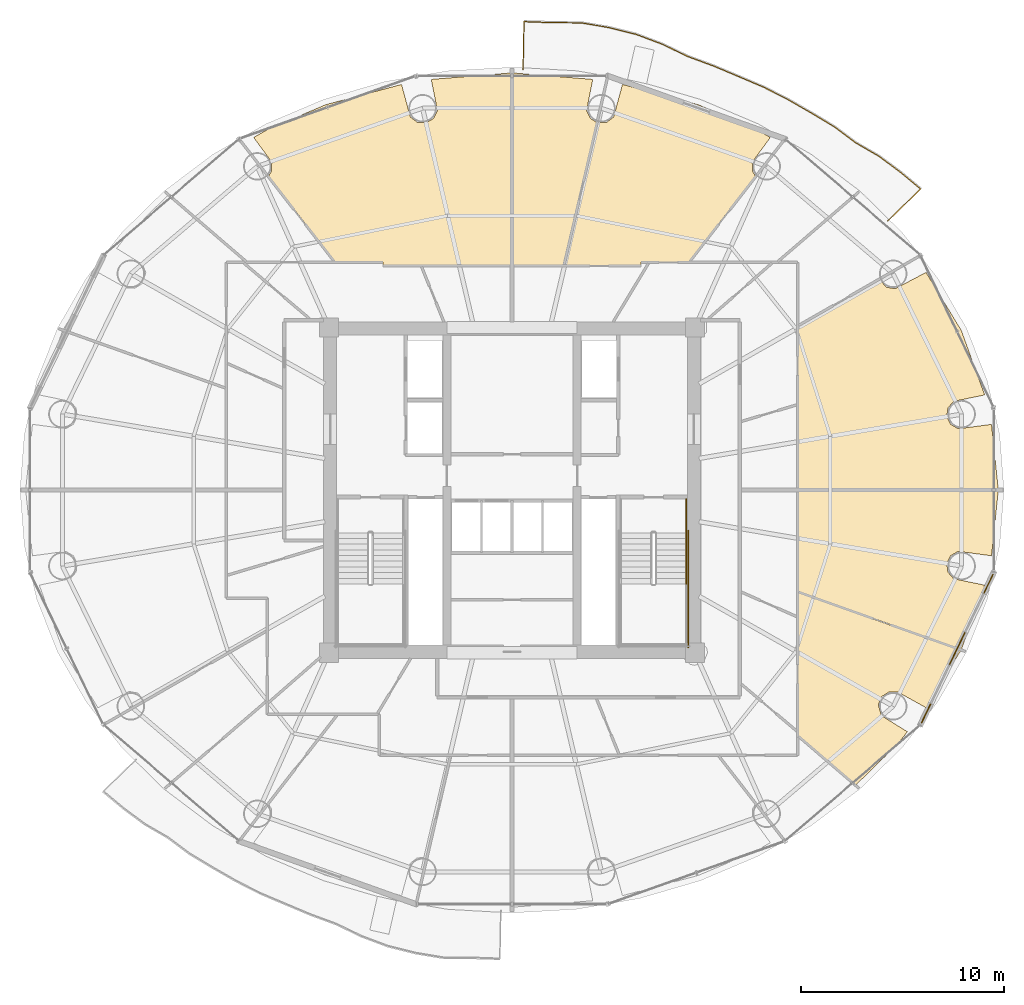
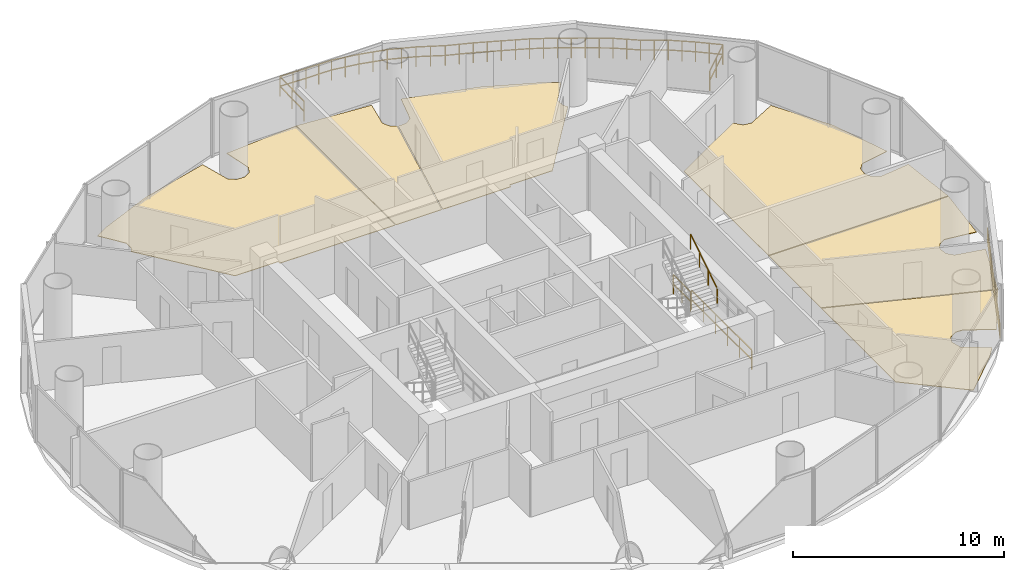
# One storey, part 27 of 27: 7 coverings, 4 railings.
"""IFC4 building model written with IfcOpenShell, lengths in metres."""

from ifc_helpers import new_model, si_unit, direction, frame, origin, origin_2d, place, context, subcontext, project, spatial, polyline, rectangle, outline, extrude, source, transform, mapped, material, layer, layer_set, type_object, element, save


model = new_model("IFC4")

# Units and contexts
model_context = context("Model", 3, precision=1e-05, world=origin(), true_north=direction((-0.2419218956, 0.970295726276)))
body_context = subcontext(model_context, "Body", "Model", "MODEL_VIEW")
ifc_project = project(units=[si_unit("LENGTHUNIT", "METRE"), si_unit("AREAUNIT", "SQUARE_METRE"), si_unit("VOLUMEUNIT", "CUBIC_METRE"), si_unit("PLANEANGLEUNIT", "RADIAN"), si_unit("MASSUNIT", "GRAM", prefix="KILO")], contexts=[model_context])

# Site, building, storey
site_placement = place(None, origin())
site = spatial("IfcSite", under=ifc_project, at=site_placement, CompositionType="ELEMENT")
building_placement = place(site_placement, origin())
building = spatial("IfcBuilding", under=site, at=building_placement, Name="Cobrevalo Terracotta Tower", CompositionType="ELEMENT")
storey_placement = place(building_placement, frame((0.0, 0.0, 160.60009765625)))
storey = spatial("IfcBuildingStorey", under=building, at=storey_placement, Name="L42", CompositionType="ELEMENT", Elevation=160.60009765625)

# Railing
ifc_material_1 = material(Name="Laminated structural glass and stainless steel", Category="steel")
railing_type_1 = type_object("IfcRailingType", Name="Balcony lobe structural glass & terracotta-cap balustrade 1180 mm", PredefinedType="BALUSTRADE", material=ifc_material_1)
railing_1_placement = place(storey_placement, frame((56.48291015625, 40.039794921875, 0.0)))
element("IfcRailing", 1, at=railing_1_placement, inside=storey, type_object=railing_type_1, Name="L42 spiralling balcony lobe balustrade 1", PredefinedType="BALUSTRADE", context=body_context, shape_type="SweptSolid", body=[
    extrude(rectangle(XDim=0.048095703125, YDim=0.048095703125, at=origin_2d()), frame((0.0, 0.0, 1.15576171875), z_axis=(0.718233453447, 0.695802203467, 0.0), x_axis=(-0.695802203467, 0.718233453447, 0.0)), (0.0, 0.0, 1.0), 2.2529296875),
    extrude(rectangle(XDim=0.048095703125, YDim=0.048095703125, at=origin_2d()), frame((0.0, 0.0, 0.58984375), z_axis=(0.718233453447, 0.695802203467, 0.0), x_axis=(-0.695802203467, 0.718233453447, 0.0)), (0.0, 0.0, 1.0), 2.2529296875),
    extrude(rectangle(XDim=0.048095703125, YDim=0.048095703125, at=origin_2d()), frame((1.6181640625, 1.567626953125, 1.15576171875), z_axis=(-0.76871044583, 0.639596943764, 0.0), x_axis=(-0.639596943764, -0.76871044583, 0.0)), (0.0, 0.0, 1.0), 1.30859375),
    extrude(rectangle(XDim=0.048095703125, YDim=0.048095703125, at=origin_2d()), frame((1.6181640625, 1.567626953125, 0.58984375), z_axis=(-0.76871044583, 0.639596943764, 0.0), x_axis=(-0.639596943764, -0.76871044583, 0.0)), (0.0, 0.0, 1.0), 1.30859375),
    extrude(rectangle(XDim=0.048095703125, YDim=0.048095703125, at=origin_2d()), frame((0.6123046875, 2.404541015625, 1.15576171875), z_axis=(-0.803374996268, 0.595473438006, 0.0), x_axis=(-0.595473438006, -0.803374996268, 0.0)), (0.0, 0.0, 1.0), 1.305908203125),
    extrude(rectangle(XDim=0.048095703125, YDim=0.048095703125, at=origin_2d()), frame((0.6123046875, 2.404541015625, 0.58984375), z_axis=(-0.803374996268, 0.595473438006, 0.0), x_axis=(-0.595473438006, -0.803374996268, 0.0)), (0.0, 0.0, 1.0), 1.305908203125),
    extrude(rectangle(XDim=0.048095703125, YDim=0.048095703125, at=origin_2d()), frame((-0.436767578125, 3.18212890625, 1.15576171875), z_axis=(-0.865632432832, 0.50068002879, 0.0), x_axis=(-0.50068002879, -0.865632432832, 0.0)), (0.0, 0.0, 1.0), 1.323974609375),
    extrude(rectangle(XDim=0.048095703125, YDim=0.048095703125, at=origin_2d()), frame((-0.436767578125, 3.18212890625, 0.58984375), z_axis=(-0.865632432832, 0.50068002879, 0.0), x_axis=(-0.50068002879, -0.865632432832, 0.0)), (0.0, 0.0, 1.0), 1.323974609375),
    extrude(rectangle(XDim=0.048095703125, YDim=0.048095703125, at=origin_2d()), frame((-1.582763671875, 3.844970703125, 1.15576171875), z_axis=(-0.8, 0.6, 0.0), x_axis=(-0.6, -0.8, 0.0)), (0.0, 0.0, 1.0), 1.304931640625),
    extrude(rectangle(XDim=0.048095703125, YDim=0.048095703125, at=origin_2d()), frame((-1.582763671875, 3.844970703125, 0.58984375), z_axis=(-0.8, 0.6, 0.0), x_axis=(-0.6, -0.8, 0.0)), (0.0, 0.0, 1.0), 1.304931640625),
    extrude(rectangle(XDim=0.048095703125, YDim=0.048095703125, at=origin_2d()), frame((-2.626708984375, 4.6279296875, 1.15576171875), z_axis=(-0.857150293111, 0.515066379237, 0.0), x_axis=(-0.515066379237, -0.857150293111, 0.0)), (0.0, 0.0, 1.0), 1.321044921875),
    extrude(rectangle(XDim=0.048095703125, YDim=0.048095703125, at=origin_2d()), frame((-2.626708984375, 4.6279296875, 0.58984375), z_axis=(-0.857150293111, 0.515066379237, 0.0), x_axis=(-0.515066379237, -0.857150293111, 0.0)), (0.0, 0.0, 1.0), 1.321044921875),
    extrude(rectangle(XDim=0.048095703125, YDim=0.048095703125, at=origin_2d()), frame((-3.759033203125, 5.308349609375, 1.15576171875), z_axis=(-0.86753891337, 0.497369313275, 0.0), x_axis=(-0.497369313275, -0.86753891337, 0.0)), (0.0, 0.0, 1.0), 1.324462890625),
    extrude(rectangle(XDim=0.048095703125, YDim=0.048095703125, at=origin_2d()), frame((-3.759033203125, 5.308349609375, 0.58984375), z_axis=(-0.86753891337, 0.497369313275, 0.0), x_axis=(-0.497369313275, -0.86753891337, 0.0)), (0.0, 0.0, 1.0), 1.324462890625),
    extrude(rectangle(XDim=0.048095703125, YDim=0.048095703125, at=origin_2d()), frame((-4.907958984375, 5.967041015625, 1.15576171875), z_axis=(-0.890459507548, 0.455062485178, 0.0), x_axis=(-0.455062485178, -0.890459507548, 0.0)), (0.0, 0.0, 1.0), 1.328369140625),
    extrude(rectangle(XDim=0.048095703125, YDim=0.048095703125, at=origin_2d()), frame((-4.907958984375, 5.967041015625, 0.58984375), z_axis=(-0.890459507548, 0.455062485178, 0.0), x_axis=(-0.455062485178, -0.890459507548, 0.0)), (0.0, 0.0, 1.0), 1.328369140625),
    extrude(rectangle(XDim=0.048095703125, YDim=0.048095703125, at=origin_2d()), frame((-6.0908203125, 6.571533203125, 1.15576171875), z_axis=(-0.920438971217, 0.390886300944, 0.0), x_axis=(-0.390886300944, -0.920438971217, 0.0)), (0.0, 0.0, 1.0), 1.341552734375),
    extrude(rectangle(XDim=0.048095703125, YDim=0.048095703125, at=origin_2d()), frame((-6.0908203125, 6.571533203125, 0.58984375), z_axis=(-0.920438971217, 0.390886300944, 0.0), x_axis=(-0.390886300944, -0.920438971217, 0.0)), (0.0, 0.0, 1.0), 1.341552734375),
    extrude(rectangle(XDim=0.048095703125, YDim=0.048095703125, at=origin_2d()), frame((-7.32568359375, 7.095947265625, 1.15576171875), z_axis=(-0.921604516365, 0.388130281497, 0.0), x_axis=(-0.388130281497, -0.921604516365, 0.0)), (0.0, 0.0, 1.0), 1.34033203125),
    extrude(rectangle(XDim=0.048095703125, YDim=0.048095703125, at=origin_2d()), frame((-7.32568359375, 7.095947265625, 0.58984375), z_axis=(-0.921604516365, 0.388130281497, 0.0), x_axis=(-0.388130281497, -0.921604516365, 0.0)), (0.0, 0.0, 1.0), 1.34033203125),
    extrude(rectangle(XDim=0.048095703125, YDim=0.048095703125, at=origin_2d()), frame((-8.56103515625, 7.6162109375, 1.15576171875), z_axis=(-0.938217022621, 0.346047422276, 0.0), x_axis=(-0.346047422276, -0.938217022621, 0.0)), (0.0, 0.0, 1.0), 1.35595703125),
    extrude(rectangle(XDim=0.048095703125, YDim=0.048095703125, at=origin_2d()), frame((-8.56103515625, 7.6162109375, 0.58984375), z_axis=(-0.938217022621, 0.346047422276, 0.0), x_axis=(-0.346047422276, -0.938217022621, 0.0)), (0.0, 0.0, 1.0), 1.35595703125),
    extrude(rectangle(XDim=0.048095703125, YDim=0.048095703125, at=origin_2d()), frame((-9.833251953125, 8.08544921875, 1.15576171875), z_axis=(-0.900958274247, 0.433905736384, 0.0), x_axis=(-0.433905736384, -0.900958274247, 0.0)), (0.0, 0.0, 1.0), 1.384765625),
    extrude(rectangle(XDim=0.048095703125, YDim=0.048095703125, at=origin_2d()), frame((-9.833251953125, 8.08544921875, 0.58984375), z_axis=(-0.900958274247, 0.433905736384, 0.0), x_axis=(-0.433905736384, -0.900958274247, 0.0)), (0.0, 0.0, 1.0), 1.384765625),
    extrude(rectangle(XDim=0.048095703125, YDim=0.048095703125, at=origin_2d()), frame((-11.080810546875, 8.686279296875, 1.15576171875), z_axis=(-0.935771500911, 0.352607002317, 0.0), x_axis=(-0.352607002317, -0.935771500911, 0.0)), (0.0, 0.0, 1.0), 1.38818359375),
    extrude(rectangle(XDim=0.048095703125, YDim=0.048095703125, at=origin_2d()), frame((-11.080810546875, 8.686279296875, 0.58984375), z_axis=(-0.935771500911, 0.352607002317, 0.0), x_axis=(-0.352607002317, -0.935771500911, 0.0)), (0.0, 0.0, 1.0), 1.38818359375),
    extrude(rectangle(XDim=0.048095703125, YDim=0.048095703125, at=origin_2d()), frame((-12.3798828125, 9.17578125, 1.15576171875), z_axis=(-0.970286719196, 0.241958018159, 0.0), x_axis=(-0.241958018159, -0.970286719196, 0.0)), (0.0, 0.0, 1.0), 1.392333984375),
    extrude(rectangle(XDim=0.048095703125, YDim=0.048095703125, at=origin_2d()), frame((-12.3798828125, 9.17578125, 0.58984375), z_axis=(-0.970286719196, 0.241958018159, 0.0), x_axis=(-0.241958018159, -0.970286719196, 0.0)), (0.0, 0.0, 1.0), 1.392333984375),
    extrude(rectangle(XDim=0.048095703125, YDim=0.048095703125, at=origin_2d()), frame((-13.73095703125, 9.5126953125, 1.15576171875), z_axis=(-0.986251316426, 0.165252355047, 0.0), x_axis=(-0.165252355047, -0.986251316426, 0.0)), (0.0, 0.0, 1.0), 1.3916015625),
    extrude(rectangle(XDim=0.048095703125, YDim=0.048095703125, at=origin_2d()), frame((-13.73095703125, 9.5126953125, 0.58984375), z_axis=(-0.986251316426, 0.165252355047, 0.0), x_axis=(-0.165252355047, -0.986251316426, 0.0)), (0.0, 0.0, 1.0), 1.3916015625),
    extrude(rectangle(XDim=0.048095703125, YDim=0.048095703125, at=origin_2d()), frame((-15.103515625, 9.74267578125, 1.15576171875), z_axis=(-0.999985370717, 0.005409099022, 0.0), x_axis=(-0.005409099022, -0.999985370717, 0.0)), (0.0, 0.0, 1.0), 1.399169921875),
    extrude(rectangle(XDim=0.048095703125, YDim=0.048095703125, at=origin_2d()), frame((-15.103515625, 9.74267578125, 0.58984375), z_axis=(-0.999985370717, 0.005409099022, 0.0), x_axis=(-0.005409099022, -0.999985370717, 0.0)), (0.0, 0.0, 1.0), 1.399169921875),
    extrude(rectangle(XDim=0.048095703125, YDim=0.048095703125, at=origin_2d()), frame((-16.502685546875, 9.750244140625, 1.15576171875), z_axis=(-0.999334859344, 0.036466956271, 0.0), x_axis=(-0.036466956271, -0.999334859344, 0.0)), (0.0, 0.0, 1.0), 1.392578125),
    extrude(rectangle(XDim=0.048095703125, YDim=0.048095703125, at=origin_2d()), frame((-16.502685546875, 9.750244140625, 0.58984375), z_axis=(-0.999334859344, 0.036466956271, 0.0), x_axis=(-0.036466956271, -0.999334859344, 0.0)), (0.0, 0.0, 1.0), 1.392578125),
    extrude(rectangle(XDim=0.048095703125, YDim=0.048095703125, at=origin_2d()), frame((-17.894287109375, 9.801025390625, 1.15576171875), z_axis=(-0.019431872477, -0.99981118334, 0.0), x_axis=(0.99981118334, -0.019431872477, 0.0)), (0.0, 0.0, 1.0), 2.362060546875),
    extrude(rectangle(XDim=0.048095703125, YDim=0.048095703125, at=origin_2d()), frame((-17.894287109375, 9.801025390625, 0.58984375), z_axis=(-0.019431872477, -0.99981118334, 0.0), x_axis=(0.99981118334, -0.019431872477, 0.0)), (0.0, 0.0, 1.0), 2.362060546875),
    extrude(rectangle(XDim=0.0419921875, YDim=0.0419921875, at=origin_2d()), origin(), (0.0, 0.0, 1.0), 1.1318359375),
    extrude(rectangle(XDim=0.0419921875, YDim=0.0419921875, at=origin_2d()), frame((0.80908203125, 0.78369140625, 0.0)), (0.0, 0.0, 1.0), 1.1318359375),
    extrude(rectangle(XDim=0.0419921875, YDim=0.0419921875, at=origin_2d()), frame((1.6181640625, 1.567626953125, 0.0)), (0.0, 0.0, 1.0), 1.1318359375),
    extrude(rectangle(XDim=0.0419921875, YDim=0.0419921875, at=origin_2d()), frame((1.115234375, 1.986083984375, 0.0)), (0.0, 0.0, 1.0), 1.1318359375),
    extrude(rectangle(XDim=0.0419921875, YDim=0.0419921875, at=origin_2d()), frame((0.6123046875, 2.404541015625, 0.0)), (0.0, 0.0, 1.0), 1.1318359375),
    extrude(rectangle(XDim=0.0419921875, YDim=0.0419921875, at=origin_2d()), frame((0.087890625, 2.79345703125, 0.0)), (0.0, 0.0, 1.0), 1.1318359375),
    extrude(rectangle(XDim=0.0419921875, YDim=0.0419921875, at=origin_2d()), frame((-0.436767578125, 3.18212890625, 0.0)), (0.0, 0.0, 1.0), 1.1318359375),
    extrude(rectangle(XDim=0.0419921875, YDim=0.0419921875, at=origin_2d()), frame((-1.009765625, 3.513671875, 0.0)), (0.0, 0.0, 1.0), 1.1318359375),
    extrude(rectangle(XDim=0.0419921875, YDim=0.0419921875, at=origin_2d()), frame((-1.582763671875, 3.844970703125, 0.0)), (0.0, 0.0, 1.0), 1.1318359375),
    extrude(rectangle(XDim=0.0419921875, YDim=0.0419921875, at=origin_2d()), frame((-2.104736328125, 4.236328125, 0.0)), (0.0, 0.0, 1.0), 1.1318359375),
    extrude(rectangle(XDim=0.0419921875, YDim=0.0419921875, at=origin_2d()), frame((-2.626708984375, 4.6279296875, 0.0)), (0.0, 0.0, 1.0), 1.1318359375),
    extrude(rectangle(XDim=0.0419921875, YDim=0.0419921875, at=origin_2d()), frame((-3.19287109375, 4.96826171875, 0.0)), (0.0, 0.0, 1.0), 1.1318359375),
    extrude(rectangle(XDim=0.0419921875, YDim=0.0419921875, at=origin_2d()), frame((-3.759033203125, 5.308349609375, 0.0)), (0.0, 0.0, 1.0), 1.1318359375),
    extrude(rectangle(XDim=0.0419921875, YDim=0.0419921875, at=origin_2d()), frame((-4.33349609375, 5.6376953125, 0.0)), (0.0, 0.0, 1.0), 1.1318359375),
    extrude(rectangle(XDim=0.0419921875, YDim=0.0419921875, at=origin_2d()), frame((-4.907958984375, 5.967041015625, 0.0)), (0.0, 0.0, 1.0), 1.1318359375),
    extrude(rectangle(XDim=0.0419921875, YDim=0.0419921875, at=origin_2d()), frame((-5.49951171875, 6.269287109375, 0.0)), (0.0, 0.0, 1.0), 1.1318359375),
    extrude(rectangle(XDim=0.0419921875, YDim=0.0419921875, at=origin_2d()), frame((-6.0908203125, 6.571533203125, 0.0)), (0.0, 0.0, 1.0), 1.1318359375),
    extrude(rectangle(XDim=0.0419921875, YDim=0.0419921875, at=origin_2d()), frame((-6.708251953125, 6.833740234375, 0.0)), (0.0, 0.0, 1.0), 1.1318359375),
    extrude(rectangle(XDim=0.0419921875, YDim=0.0419921875, at=origin_2d()), frame((-7.32568359375, 7.095947265625, 0.0)), (0.0, 0.0, 1.0), 1.1318359375),
    extrude(rectangle(XDim=0.0419921875, YDim=0.0419921875, at=origin_2d()), frame((-7.943359375, 7.35595703125, 0.0)), (0.0, 0.0, 1.0), 1.1318359375),
    extrude(rectangle(XDim=0.0419921875, YDim=0.0419921875, at=origin_2d()), frame((-8.56103515625, 7.6162109375, 0.0)), (0.0, 0.0, 1.0), 1.1318359375),
    extrude(rectangle(XDim=0.0419921875, YDim=0.0419921875, at=origin_2d()), frame((-9.197265625, 7.850830078125, 0.0)), (0.0, 0.0, 1.0), 1.1318359375),
    extrude(rectangle(XDim=0.0419921875, YDim=0.0419921875, at=origin_2d()), frame((-9.833251953125, 8.08544921875, 0.0)), (0.0, 0.0, 1.0), 1.1318359375),
    extrude(rectangle(XDim=0.0419921875, YDim=0.0419921875, at=origin_2d()), frame((-10.45703125, 8.3857421875, 0.0)), (0.0, 0.0, 1.0), 1.1318359375),
    extrude(rectangle(XDim=0.0419921875, YDim=0.0419921875, at=origin_2d()), frame((-11.080810546875, 8.686279296875, 0.0)), (0.0, 0.0, 1.0), 1.1318359375),
    extrude(rectangle(XDim=0.0419921875, YDim=0.0419921875, at=origin_2d()), frame((-11.73046875, 8.93115234375, 0.0)), (0.0, 0.0, 1.0), 1.1318359375),
    extrude(rectangle(XDim=0.0419921875, YDim=0.0419921875, at=origin_2d()), frame((-12.3798828125, 9.17578125, 0.0)), (0.0, 0.0, 1.0), 1.1318359375),
    extrude(rectangle(XDim=0.0419921875, YDim=0.0419921875, at=origin_2d()), frame((-13.055419921875, 9.34423828125, 0.0)), (0.0, 0.0, 1.0), 1.1318359375),
    extrude(rectangle(XDim=0.0419921875, YDim=0.0419921875, at=origin_2d()), frame((-13.73095703125, 9.5126953125, 0.0)), (0.0, 0.0, 1.0), 1.1318359375),
    extrude(rectangle(XDim=0.0419921875, YDim=0.0419921875, at=origin_2d()), frame((-14.417236328125, 9.627685546875, 0.0)), (0.0, 0.0, 1.0), 1.1318359375),
    extrude(rectangle(XDim=0.0419921875, YDim=0.0419921875, at=origin_2d()), frame((-15.103515625, 9.74267578125, 0.0)), (0.0, 0.0, 1.0), 1.1318359375),
    extrude(rectangle(XDim=0.0419921875, YDim=0.0419921875, at=origin_2d()), frame((-15.80322265625, 9.74658203125, 0.0)), (0.0, 0.0, 1.0), 1.1318359375),
    extrude(rectangle(XDim=0.0419921875, YDim=0.0419921875, at=origin_2d()), frame((-16.502685546875, 9.750244140625, 0.0)), (0.0, 0.0, 1.0), 1.1318359375),
    extrude(rectangle(XDim=0.0419921875, YDim=0.0419921875, at=origin_2d()), frame((-17.198486328125, 9.775634765625, 0.0)), (0.0, 0.0, 1.0), 1.1318359375),
    extrude(rectangle(XDim=0.0419921875, YDim=0.0419921875, at=origin_2d()), frame((-17.894287109375, 9.801025390625, 0.0)), (0.0, 0.0, 1.0), 1.1318359375),
    extrude(rectangle(XDim=0.0419921875, YDim=0.0419921875, at=origin_2d()), frame((-17.917236328125, 8.6201171875, 0.0)), (0.0, 0.0, 1.0), 1.1318359375),
    extrude(rectangle(XDim=0.0419921875, YDim=0.0419921875, at=origin_2d()), frame((-17.940185546875, 7.439453125, 0.0)), (0.0, 0.0, 1.0), 1.1318359375),
])

# Coverings
ifc_material_2 = material(Name="Engineered Brazilian hardwood flooring", Category="wood")
ifc_layer_1 = layer(ifc_material_2, 0.028076171875)
ifc_layer_set_1 = layer_set([ifc_layer_1], Name="Engineered Brazilian hardwood flooring")
covering_type_1 = type_object("IfcCoveringType", Name="Engineered Hardwood Suite Flooring 28", PredefinedType="FLOORING", material=ifc_layer_set_1)
covering_1_placement = place(storey_placement, origin())
element("IfcCovering", 2, at=covering_1_placement, inside=storey, type_object=covering_type_1, Name="Flat L42A Penthouse Living and Dining Room floor finish", PredefinedType="FLOORING", context=body_context, shape_type="SweptSolid", body=[
    extrude(outline(polyline([(60.099609375, 34.651611328125), (61.251708984375, 31.478271484375), (59.7236328125, 31.1630859375), (59.44140625, 30.8388671875), (59.386962890625, 30.41259765625), (59.578369140625, 30.028076171875), (59.951416015625, 29.814697265625), (61.58642578125, 30.03369140625), (61.91845703125, 26.820068359375), (52.06494140625, 26.820068359375), (52.06494140625, 34.8544921875), (56.070068359375, 37.154541015625), (56.417236328125, 36.77783203125), (56.8408203125, 36.70458984375), (58.367431640625, 37.50634765625), (60.099609375, 34.651611328125)])), origin(), (0.0, 0.0, 1.0), 0.02978515625),
])
covering_2_placement = place(storey_placement, origin())
element("IfcCovering", 3, at=covering_2_placement, inside=storey, type_object=covering_type_1, Name="Flat L42A Penthouse Family Lounge floor finish", PredefinedType="FLOORING", context=body_context, shape_type="SweptSolid", body=[
    extrude(outline(polyline([(49.961181640625, 44.5703125), (50.704833984375, 44.143798828125), (49.815673828125, 42.9228515625), (49.824462890625, 42.4931640625), (49.97509765625, 42.236572265625), (46.693115234375, 38.014892578125), (44.3349609375, 38.014892578125), (44.3349609375, 37.85498046875), (40.578857421875, 37.85498046875), (42.203369140625, 44.873779296875), (42.6591796875, 44.88916015625), (43.00048828125, 45.150390625), (43.432861328125, 46.75), (47.15478515625, 45.757568359375), (49.961181640625, 44.5703125)])), origin(), (0.0, 0.0, 1.0), 0.02978515625),
])
covering_3_placement = place(storey_placement, origin())
element("IfcCovering", 4, at=covering_3_placement, inside=storey, type_object=covering_type_1, Name="Flat L42A North Bedroom floor finish", PredefinedType="FLOORING", context=body_context, shape_type="SweptSolid", body=[
    extrude(outline(polyline([(38.02001953125, 47.31884765625), (41.97119140625, 46.99951171875), (41.6689453125, 45.462158203125), (41.858642578125, 45.07666015625), (42.16455078125, 44.8837890625), (40.537841796875, 37.85498046875), (38.02001953125, 37.85498046875), (38.02001953125, 47.31884765625)])), origin(), (0.0, 0.0, 1.0), 0.02978515625),
])
covering_4_placement = place(storey_placement, origin())
element("IfcCovering", 5, at=covering_4_placement, inside=storey, type_object=covering_type_1, Name="Flat L42B Penthouse Living and Dining Room floor finish", PredefinedType="FLOORING", context=body_context, shape_type="SweptSolid", body=[
    extrude(outline(polyline([(28.84521484375, 45.757568359375), (32.567138671875, 46.75), (32.99951171875, 45.150390625), (33.3408203125, 44.88916015625), (33.76953125, 44.861328125), (34.141357421875, 45.07666015625), (34.3310546875, 45.462158203125), (34.02880859375, 46.99951171875), (37.97998046875, 47.31884765625), (37.97998046875, 37.85498046875), (31.6650390625, 37.85498046875), (31.6650390625, 38.014892578125), (29.306884765625, 38.014892578125), (26.02490234375, 42.236572265625), (26.175537109375, 42.4931640625), (26.184326171875, 42.9228515625), (25.295166015625, 44.143798828125), (26.038818359375, 44.5703125), (28.84521484375, 45.757568359375)])), origin(), (0.0, 0.0, 1.0), 0.02978515625),
])
covering_5_placement = place(storey_placement, origin())
element("IfcCovering", 6, at=covering_5_placement, inside=storey, type_object=covering_type_1, Name="Flat L42D Principal Guest Bedroom floor finish", PredefinedType="FLOORING", context=body_context, shape_type="SweptSolid", body=[
    extrude(outline(polyline([(58.367431640625, 16.09375), (56.982177734375, 16.863525390625), (56.552734375, 16.874267578125), (56.189697265625, 16.64453125), (56.01513671875, 16.251953125), (56.165771484375, 15.705810546875), (57.448486328125, 14.91357421875), (56.97802734375, 14.309326171875), (54.9111328125, 12.291015625), (52.06494140625, 14.737548828125), (52.06494140625, 21.771484375), (60.081787109375, 18.917236328125), (58.367431640625, 16.09375)])), origin(), (0.0, 0.0, 1.0), 0.02978515625),
])
covering_6_placement = place(storey_placement, origin())
element("IfcCovering", 7, at=covering_6_placement, inside=storey, type_object=covering_type_1, Name="Flat L42D Penthouse Family Lounge floor finish", PredefinedType="FLOORING", context=body_context, shape_type="SweptSolid", body=[
    extrude(outline(polyline([(52.06494140625, 21.813720703125), (52.06494140625, 26.780029296875), (61.91845703125, 26.780029296875), (61.58642578125, 23.566162109375), (59.951416015625, 23.785400390625), (59.578369140625, 23.572021484375), (59.386962890625, 23.187255859375), (59.44140625, 22.760986328125), (59.7236328125, 22.43701171875), (61.251708984375, 22.121826171875), (60.101318359375, 18.95263671875), (52.06494140625, 21.813720703125)])), origin(), (0.0, 0.0, 1.0), 0.02978515625),
])

# Railings
ifc_material_3 = material(Name="Brushed stainless steel", Category="steel")
railing_type_2 = type_object("IfcRailingType", Name="Stainless Steel Stair Handrail 900", PredefinedType="HANDRAIL", material=ifc_material_3)
railing_2_placement = place(storey_placement, frame((46.574951171875, 22.179931640625, 1.97998046875)))
element("IfcRailing", 8, at=railing_2_placement, inside=storey, type_object=railing_type_2, Name="L42 ST-2 stair handrail 2", PredefinedType="HANDRAIL", context=body_context, shape_type="SweptSolid", body=[
    extrude(rectangle(XDim=0.048095703125, YDim=0.048095703125, at=origin_2d()), frame((0.0, 0.0, 0.8759765625), z_axis=(0.0, 0.841199657755, 0.540724639528), x_axis=(-1.0, 0.0, 0.0)), (0.0, 0.0, 1.0), 2.995849609375),
    extrude(rectangle(XDim=0.0419921875, YDim=0.0419921875, at=origin_2d()), origin(), (0.0, 0.0, 1.0), 0.851806640625),
    extrude(rectangle(XDim=0.0419921875, YDim=0.0419921875, at=origin_2d()), frame((0.0, 0.840087890625, 0.5400390625)), (0.0, 0.0, 1.0), 0.851806640625),
    extrude(rectangle(XDim=0.0419921875, YDim=0.0419921875, at=origin_2d()), frame((0.0, 1.679931640625, 1.079833984375)), (0.0, 0.0, 1.0), 0.851806640625),
    extrude(rectangle(XDim=0.0419921875, YDim=0.0419921875, at=origin_2d()), frame((0.0, 2.52001953125, 1.619873046875)), (0.0, 0.0, 1.0), 0.851806640625),
])
ifc_material_4 = material(Name="Painted galvanized steel", Category="steel")
railing_type_3 = type_object("IfcRailingType", Name="Stair Well Guard Balustrade 1150", PredefinedType="GUARDRAIL", material=ifc_material_4)
railing_3_placement = place(storey_placement, frame((46.574951171875, 26.35009765625, 0.0)))
element("IfcRailing", 9, at=railing_3_placement, inside=storey, type_object=railing_type_3, Name="L42 ST-2 stair guard 9", PredefinedType="GUARDRAIL", context=body_context, shape_type="SweptSolid", body=[
    extrude(rectangle(XDim=0.048095703125, YDim=0.048095703125, at=origin_2d()), frame((0.0, 0.0, 1.1259765625), z_axis=(0.0, -1.0, 0.0), x_axis=(1.0, 0.0, 0.0)), (0.0, 0.0, 1.0), 1.650146484375),
    extrude(rectangle(XDim=0.048095703125, YDim=0.048095703125, at=origin_2d()), frame((0.0, 0.0, 0.574951171875), z_axis=(0.0, -1.0, 0.0), x_axis=(1.0, 0.0, 0.0)), (0.0, 0.0, 1.0), 1.650146484375),
    extrude(rectangle(XDim=0.0419921875, YDim=0.0419921875, at=origin_2d()), origin(), (0.0, 0.0, 1.0), 1.101806640625),
    extrude(rectangle(XDim=0.0419921875, YDim=0.0419921875, at=origin_2d()), frame((0.0, -0.8251953125, 0.0)), (0.0, 0.0, 1.0), 1.101806640625),
    extrude(rectangle(XDim=0.0419921875, YDim=0.0419921875, at=origin_2d()), frame((0.0, -1.650146484375, 0.0)), (0.0, 0.0, 1.0), 1.101806640625),
])
railing_4_placement = place(storey_placement, frame((46.675048828125, 24.800048828125, 0.0)))
element("IfcRailing", 10, at=railing_4_placement, inside=storey, type_object=railing_type_3, Name="L42 ST-2 stair guard 11", PredefinedType="GUARDRAIL", context=body_context, shape_type="SweptSolid", body=[
    extrude(rectangle(XDim=0.048095703125, YDim=0.048095703125, at=origin_2d()), frame((0.0, 0.0, 1.1259765625), z_axis=(0.0, -1.0, 0.0), x_axis=(1.0, 0.0, 0.0)), (0.0, 0.0, 1.0), 5.72509765625),
    extrude(rectangle(XDim=0.048095703125, YDim=0.048095703125, at=origin_2d()), frame((0.0, 0.0, 0.574951171875), z_axis=(0.0, -1.0, 0.0), x_axis=(1.0, 0.0, 0.0)), (0.0, 0.0, 1.0), 5.72509765625),
    extrude(rectangle(XDim=0.0419921875, YDim=0.0419921875, at=origin_2d()), origin(), (0.0, 0.0, 1.0), 1.101806640625),
    extrude(rectangle(XDim=0.0419921875, YDim=0.0419921875, at=origin_2d()), frame((0.0, -1.14501953125, 0.0)), (0.0, 0.0, 1.0), 1.101806640625),
    extrude(rectangle(XDim=0.0419921875, YDim=0.0419921875, at=origin_2d()), frame((0.0, -2.2900390625, 0.0)), (0.0, 0.0, 1.0), 1.101806640625),
    extrude(rectangle(XDim=0.0419921875, YDim=0.0419921875, at=origin_2d()), frame((0.0, -3.43505859375, 0.0)), (0.0, 0.0, 1.0), 1.101806640625),
    extrude(rectangle(XDim=0.0419921875, YDim=0.0419921875, at=origin_2d()), frame((0.0, -4.580078125, 0.0)), (0.0, 0.0, 1.0), 1.101806640625),
    extrude(rectangle(XDim=0.0419921875, YDim=0.0419921875, at=origin_2d()), frame((0.0, -5.72509765625, 0.0)), (0.0, 0.0, 1.0), 1.101806640625),
])

# Covering
ifc_material_5 = material(Name="Glazed terracotta facade cladding tile", Category="masonry")
ifc_layer_2 = layer(ifc_material_5, 0.044921875)
ifc_layer_set_2 = layer_set([ifc_layer_2], Name="Glazed terracotta facade cladding tile")
covering_type_2 = type_object("IfcCoveringType", Name="Architectural terracotta rainscreen spandrel cladding 45 mm", PredefinedType="CLADDING", material=ifc_layer_set_2)
shared_shape = source(origin(), body_context, "Body", "SweptSolid", [
    extrude(rectangle(XDim=8.111572265625, YDim=0.044921875, at=origin_2d()), origin(), (0.0, 0.0, 1.0), 0.760009765625),
])
covering_7_placement = place(storey_placement, frame((59.901123046875, 19.00439453125, 0.0400390625), z_axis=(0.0, 0.0, 1.0), x_axis=(0.434209440271, 0.900811945957, 0.0)))
element("IfcCovering", 11, at=covering_7_placement, inside=storey, type_object=covering_type_2, Name="L42 terracotta spandrel cladding S15", PredefinedType="CLADDING", context=body_context, shape_type="MappedRepresentation", body=[
    mapped(shared_shape, transform((0.0, 0.0, 0.0), scale=1.0)),
])

save(model, "model.ifc")
